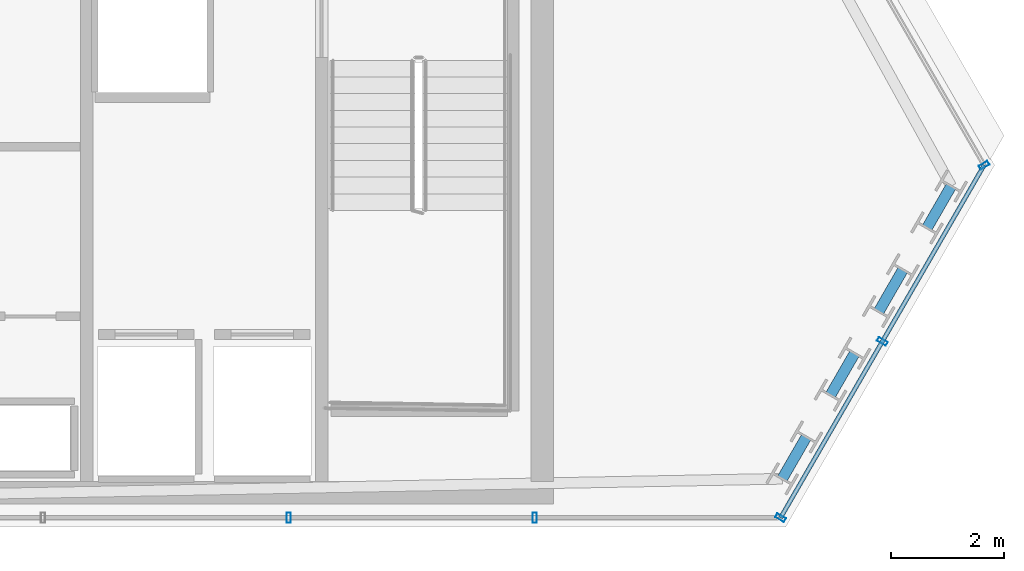
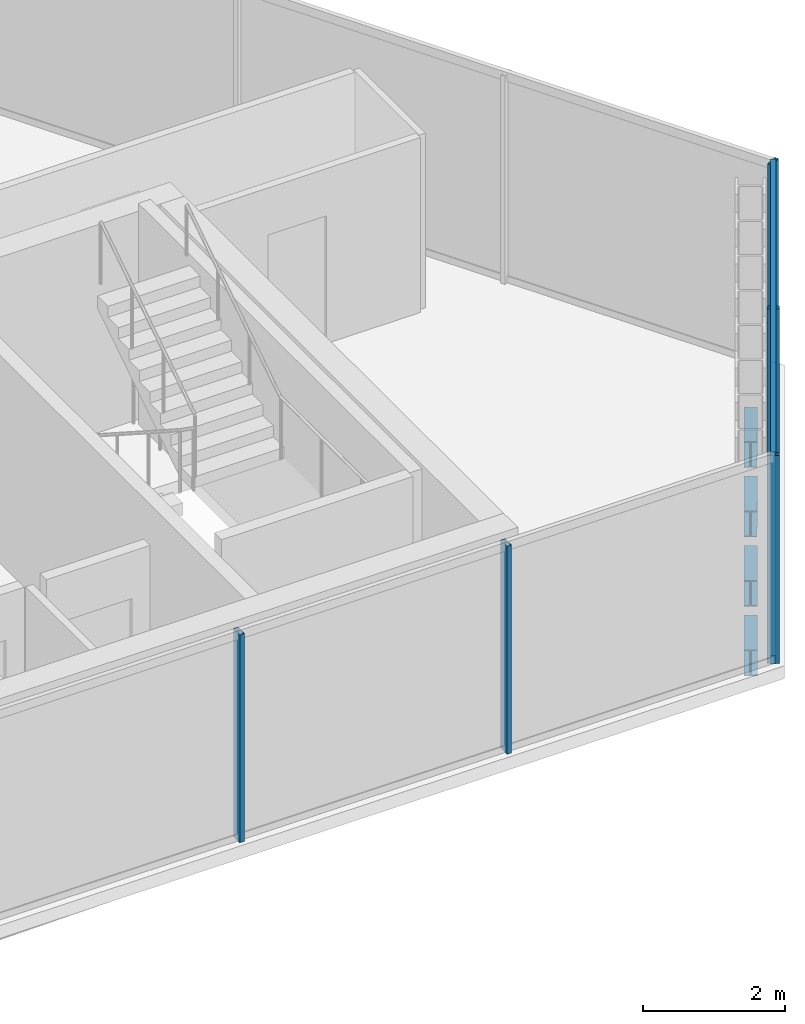
# One storey, part 14 of 29: 7 members, 4 beams, 3 elements without a shape of their own.
"""IFC4 building model written with IfcOpenShell, lengths in metres."""

from ifc_helpers import new_model, si_unit, direction, frame, origin, origin_2d, place, context, subcontext, project, spatial, hollow_rectangle, i_section, extrude, material, layer, layer_set, material_profile, profile_set, type_object, element, aggregate, save


model = new_model("IFC4")

# Units and contexts
model_context = context("Model", 3, precision=1e-05, world=origin(), true_north=direction((0.0, 1.0)))
body_context = subcontext(model_context, "Body", "Model", "MODEL_VIEW")
ifc_project = project(units=[si_unit("LENGTHUNIT", "METRE"), si_unit("AREAUNIT", "SQUARE_METRE"), si_unit("VOLUMEUNIT", "CUBIC_METRE"), si_unit("PLANEANGLEUNIT", "RADIAN"), si_unit("MASSUNIT", "GRAM", prefix="KILO")], contexts=[model_context])

# Site, building, storey
site_placement = place(None, origin())
site = spatial("IfcSite", under=ifc_project, at=site_placement, CompositionType="ELEMENT")
building_placement = place(site_placement, origin())
building = spatial("IfcBuilding", under=site, at=building_placement, Name="Ndaravel Arena Tower", CompositionType="ELEMENT")
storey_placement = place(building_placement, frame((0.0, 0.0, 229.39990234375)))
storey = spatial("IfcBuildingStorey", under=building, at=storey_placement, Name="L55", CompositionType="ELEMENT", Elevation=229.39990234375)

# Beams
ifc_material_1 = material(Name="Steel S355", Category="steel")
ifc_material_profile_1 = material_profile(ifc_material_1, i_section(OverallWidth=0.18994140625, OverallDepth=0.449951171875, WebThickness=0.009521484375, FlangeThickness=0.0146484375, FilletRadius=0.02099609375, at=origin_2d()), Name="IPE 450")
ifc_profile_set_1 = profile_set([ifc_material_profile_1], Name="Steel S355")
beam_type = type_object("IfcBeamType", Name="BM-SPAN-IPE450", PredefinedType="SPANDREL", material=ifc_profile_set_1)
beam_placement = place(storey_placement, frame((61.597412109375, 5.849609375, -0.44482421875), z_axis=(0.500044178772, 0.865999895656, 0.0), x_axis=(-0.865999895656, 0.500044178772, 0.0)))
element("IfcBeam", 1, at=beam_placement, inside=storey, type_object=beam_type, Name="L55 Perimeter Spandrel Beam SP-02", PredefinedType="SPANDREL", context=body_context, shape_type="SweptSolid", body=[
    extrude(i_section(OverallWidth=0.18994140625, OverallDepth=0.449951171875, WebThickness=0.009521484375, FlangeThickness=0.0146484375, FilletRadius=0.02099609375, at=origin_2d()), origin(), (0.0, 0.0, 1.0), 0.85400390625),
])
for number, where, z_axis, x_axis, name in (
    (2, (62.451171875, 7.328369140625, -0.44482421875), (0.499829718243, 0.866123693684, 0.0), (-0.866123693684, 0.499829718243, 0.0), "L55 Perimeter Spandrel Beam SP-04"),
    (3, (63.3046875, 8.80712890625, -0.44482421875), (0.5001680112, 0.86592838074, 0.0), (-0.86592838074, 0.5001680112, 0.0), "L55 Perimeter Spandrel Beam SP-06"),
    (4, (64.158447265625, 10.285888671875, -0.44482421875), (0.5001680112, 0.86592838074, 0.0), (-0.86592838074, 0.5001680112, 0.0), "L55 Perimeter Spandrel Beam SP-08"),
):
    element("IfcBeam", number, at=place(storey_placement, frame(where, z_axis=z_axis, x_axis=x_axis)), inside=storey, type_object=beam_type, Name=name, PredefinedType="SPANDREL", context=body_context, shape_type="SweptSolid", body=[
        extrude(i_section(OverallWidth=0.18994140625, OverallDepth=0.449951171875, WebThickness=0.009521484375, FlangeThickness=0.0146484375, FilletRadius=0.02099609375, at=origin_2d()), origin(), (0.0, 0.0, 1.0), 0.853759765625),
    ])

# Curtain wall, members
ifc_material_2 = material(Name="Aluminium", Category="aluminium")
ifc_layer_1 = layer(ifc_material_2, 0.179931640625)
ifc_layer_set_1 = layer_set([ifc_layer_1], Name="Aluminium")
curtain_wall_type_1 = type_object("IfcCurtainWallType", Name="CW-SYS-03", PredefinedType="NOTDEFINED", material=ifc_layer_set_1)
curtain_wall_1_placement = place(storey_placement, origin())
curtain_wall_1 = element("IfcCurtainWall", 5, at=curtain_wall_1_placement, inside=storey, type_object=curtain_wall_type_1, Name="L55 Faceted Crystal Curtain Wall CW-L55-E01", PredefinedType="NOTDEFINED")
ifc_material_3 = material(Name="Aluminium", Category="aluminium")
ifc_material_profile_2 = material_profile(ifc_material_3, hollow_rectangle(XDim=0.074951171875, YDim=0.179931640625, WallThickness=0.00390625, at=origin_2d()), Name="CW MULLION 75x180x4")
ifc_profile_set_2 = profile_set([ifc_material_profile_2], Name="Aluminium")
member_type_1 = type_object("IfcMemberType", Name="MEM-CW-MUL180", PredefinedType="MULLION", material=ifc_profile_set_2)
member_1_placement = place(storey_placement, frame((52.87158203125, 5.159912109375, 0.0), z_axis=(0.0, 0.0, 1.0), x_axis=(1.0, 0.0, 0.0)))
member_1 = element("IfcMember", 6, at=member_1_placement, type_object=member_type_1, Name="CW-L55-E01 Mullion 07", PredefinedType="MULLION", context=body_context, shape_type="SweptSolid", body=[
    extrude(hollow_rectangle(XDim=0.074951171875, YDim=0.179931640625, WallThickness=0.00390625, at=origin_2d()), origin(), (0.0, 0.0, 1.0), 3.580078125),
])
member_2_placement = place(storey_placement, frame((57.22021484375, 5.159912109375, 0.0), z_axis=(0.0, 0.0, 1.0), x_axis=(1.0, 0.0, 0.0)))
member_2 = element("IfcMember", 7, at=member_2_placement, type_object=member_type_1, Name="CW-L55-E01 Mullion 08", PredefinedType="MULLION", context=body_context, shape_type="SweptSolid", body=[
    extrude(hollow_rectangle(XDim=0.074951171875, YDim=0.179931640625, WallThickness=0.00390625, at=origin_2d()), origin(), (0.0, 0.0, 1.0), 3.580078125),
])
aggregate(curtain_wall_1, [member_1, member_2])

ifc_material_4 = material(Name="Aluminium", Category="aluminium")
ifc_layer_2 = layer(ifc_material_4, 0.179931640625)
ifc_layer_set_2 = layer_set([ifc_layer_2], Name="Aluminium")
curtain_wall_type_2 = type_object("IfcCurtainWallType", Name="CW-SYS-01", PredefinedType="NOTDEFINED", material=ifc_layer_set_2)
curtain_wall_2_placement = place(storey_placement, origin())
curtain_wall_2 = element("IfcCurtainWall", 8, at=curtain_wall_2_placement, inside=storey, type_object=curtain_wall_type_2, Name="L55 Faceted Crystal Curtain Wall CW-L55-E02", PredefinedType="NOTDEFINED")
member_3_placement = place(storey_placement, frame((61.568603515625, 5.159912109375, 0.0), z_axis=(0.0, 0.0, 1.0), x_axis=(0.499984884929, 0.866034130299, 0.0)))
member_3 = element("IfcMember", 9, at=member_3_placement, type_object=member_type_1, Name="CW-L55-E02 Mullion 00", PredefinedType="MULLION", context=body_context, shape_type="SweptSolid", body=[
    extrude(hollow_rectangle(XDim=0.074951171875, YDim=0.179931640625, WallThickness=0.00390625, at=origin_2d()), origin(), (0.0, 0.0, 1.0), 3.580078125),
])
member_4_placement = place(storey_placement, frame((63.368408203125, 8.27734375, 0.0), z_axis=(0.0, 0.0, 1.0), x_axis=(0.499984884929, 0.866034130299, 0.0)))
member_4 = element("IfcMember", 10, at=member_4_placement, type_object=member_type_1, Name="CW-L55-E02 Mullion 01", PredefinedType="MULLION", context=body_context, shape_type="SweptSolid", body=[
    extrude(hollow_rectangle(XDim=0.074951171875, YDim=0.179931640625, WallThickness=0.00390625, at=origin_2d()), origin(), (0.0, 0.0, 1.0), 3.580078125),
])

# Curtain wall, member
curtain_wall_3_placement = place(storey_placement, origin())
curtain_wall_3 = element("IfcCurtainWall", 11, at=curtain_wall_3_placement, inside=storey, type_object=curtain_wall_type_1, Name="L55 Faceted Crystal Curtain Wall CW-L55-E03", PredefinedType="NOTDEFINED")
member_5_placement = place(storey_placement, frame((65.168212890625, 11.39501953125, 0.0), z_axis=(0.0, 0.0, 1.0), x_axis=(-0.5, 0.866025403784, 0.0)))
member_5 = element("IfcMember", 12, at=member_5_placement, type_object=member_type_1, Name="CW-L55-E03 Mullion 00", PredefinedType="MULLION", context=body_context, shape_type="SweptSolid", body=[
    extrude(hollow_rectangle(XDim=0.074951171875, YDim=0.179931640625, WallThickness=0.00390625, at=origin_2d()), origin(), (0.0, 0.0, 1.0), 3.580078125),
])
aggregate(curtain_wall_3, [member_5])

# Member
ifc_material_5 = material(Name="Aluminium", Category="aluminium")
ifc_material_profile_3 = material_profile(ifc_material_5, hollow_rectangle(XDim=0.074951171875, YDim=0.14990234375, WallThickness=0.00390625, at=origin_2d()), Name="CW TRANSOM 75x150x4")
ifc_profile_set_3 = profile_set([ifc_material_profile_3], Name="Aluminium")
member_type_2 = type_object("IfcMemberType", Name="MEM-CW-TRN150", PredefinedType="USERDEFINED", material=ifc_profile_set_3)
member_6_placement = place(storey_placement, frame((61.568603515625, 5.159912109375, 0.0400390625), z_axis=(0.499975876118, 0.866039331266, 0.0), x_axis=(-0.866039331266, 0.499975876118, 0.0)))
member_6 = element("IfcMember", 13, at=member_6_placement, type_object=member_type_2, Name="CW-L55-E02 Transom 01", ObjectType="TRANSOM", PredefinedType="USERDEFINED", context=body_context, shape_type="SweptSolid", body=[
    extrude(hollow_rectangle(XDim=0.074951171875, YDim=0.14990234375, WallThickness=0.00390625, at=origin_2d()), origin(), (0.0, 0.0, 1.0), 7.199462890625),
])

member_7_placement = place(storey_placement, frame((61.568603515625, 5.159912109375, 3.5400390625), z_axis=(0.499975876118, 0.866039331266, 0.0), x_axis=(-0.866039331266, 0.499975876118, 0.0)))
member_7 = element("IfcMember", 14, at=member_7_placement, type_object=member_type_2, Name="CW-L55-E02 Transom 02", ObjectType="TRANSOM", PredefinedType="USERDEFINED", context=body_context, shape_type="SweptSolid", body=[
    extrude(hollow_rectangle(XDim=0.074951171875, YDim=0.14990234375, WallThickness=0.00390625, at=origin_2d()), origin(), (0.0, 0.0, 1.0), 7.199462890625),
])

aggregate(curtain_wall_2, [member_3, member_4, member_6, member_7])

save(model, "model.ifc")
